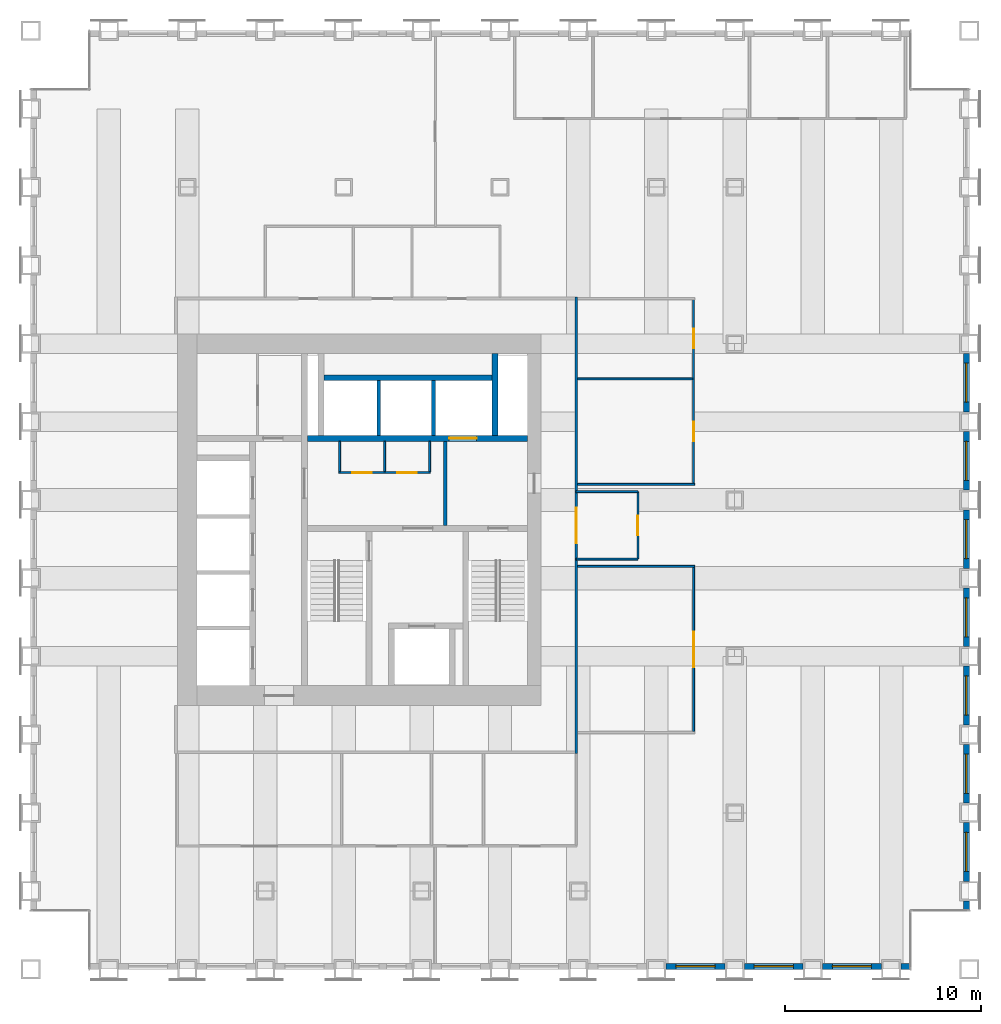
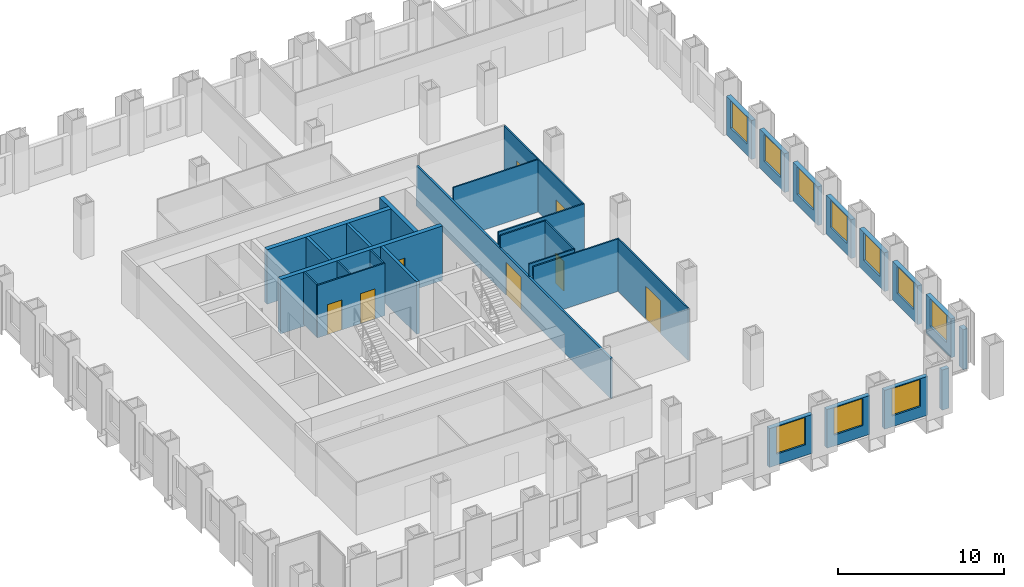
# One storey, part 11 of 14: 31 walls, 10 windows, 8 doors, 18 openings.
"""IFC4 building model written with IfcOpenShell, lengths in metres."""

from ifc_helpers import new_model, si_unit, direction, frame, frame_2d, origin, place, context, subcontext, project, spatial, rectangle, extrude, material, layer, layer_set, type_object, element, fill, save


model = new_model("IFC4")

# Units and contexts
model_context = context("Model", 3, precision=1e-05, world=origin(), true_north=direction((0.0, 1.0)))
body_context = subcontext(model_context, "Body", "Model", "MODEL_VIEW")
ifc_project = project(units=[si_unit("LENGTHUNIT", "METRE"), si_unit("AREAUNIT", "SQUARE_METRE"), si_unit("VOLUMEUNIT", "CUBIC_METRE"), si_unit("PLANEANGLEUNIT", "RADIAN"), si_unit("MASSUNIT", "GRAM", prefix="KILO")], contexts=[model_context])

# Site, building, storey
site_placement = place(None, origin())
site = spatial("IfcSite", under=ifc_project, at=site_placement, CompositionType="ELEMENT")
building_placement = place(site_placement, origin())
building = spatial("IfcBuilding", under=site, at=building_placement, Name="Rimbunsela Tower", CompositionType="ELEMENT")
storey_placement = place(building_placement, frame((0.0, 0.0, 109.39990234375)))
storey = spatial("IfcBuildingStorey", under=building, at=storey_placement, Name="L26", CompositionType="ELEMENT", Elevation=109.39990234375)

# Wall, opening, door
ifc_material_1 = material(Name="Concrete fc' 80 MPa", Category="concrete")
ifc_layer_1 = layer(ifc_material_1, 0.300048828125)
ifc_layer_set_1 = layer_set([ifc_layer_1], Name="Core internal wall 300")
wall_type_1 = type_object("IfcWallType", Name="Core internal wall 300", PredefinedType="SHEAR", material=ifc_layer_set_1)
wall_1_placement = place(storey_placement, frame((24.14990234375, 31.14990234375, -0.14990234375), z_axis=(0.0, 0.0, 1.0), x_axis=(1.0, 0.0, 0.0)))
wall_1 = element("IfcWall", 1, at=wall_1_placement, inside=storey, type_object=wall_type_1, Name="Lift shaft front north", PredefinedType="SHEAR", context=body_context, shape_type="SweptSolid", body=[
    extrude(rectangle(XDim=11.25, YDim=0.300048828125, at=frame_2d((5.625, 0.0))), origin(), (0.0, 0.0, 1.0), 4.0),
])
opening_1_placement = place(wall_1_placement, frame((7.25, 0.0, 0.14990234375)))
opening_1 = element("IfcOpeningElement", 2, at=opening_1_placement, cuts=wall_1, Name="Opening LD3", PredefinedType="OPENING", context=body_context, shape_type="SweptSolid", body=[
    extrude(rectangle(XDim=1.39990234375, YDim=2.39990234375, at=frame_2d((0.699951171875, 1.199951171875))), frame((0.0, 0.159912109375, 0.0), z_axis=(0.0, -1.0, 0.0), x_axis=(1.0, 0.0, 0.0)), (0.0, 0.0, 1.0), 0.320068359375),
])
ifc_material_2 = material(Name="Steel door, fire rated", Category="steel")
door_type_1 = type_object("IfcDoorType", Name="Lift landing door 1400", OperationType="DOUBLE_DOOR_SLIDING", PredefinedType="DOOR", material=ifc_material_2)
door_1_placement = place(opening_1_placement, origin())
door_1 = element("IfcDoor", 3, at=door_1_placement, inside=storey, type_object=door_type_1, Name="Lift landing door FL2", OperationType="DOUBLE_DOOR_SLIDING", OverallHeight=2.39990234375, OverallWidth=1.39990234375, PredefinedType="DOOR", context=body_context, shape_type="SweptSolid", body=[
    extrude(rectangle(XDim=1.39990234375, YDim=2.39990234375, at=frame_2d((0.699951171875, 1.199951171875))), frame((0.0, 0.02490234375, 0.0), z_axis=(0.0, -1.0, 0.0), x_axis=(1.0, 0.0, 0.0)), (0.0, 0.0, 1.0), 0.050048828125),
])
fill(opening_1, door_1)

# Walls
wall_2_placement = place(storey_placement, frame((33.75, 31.300048828125, -0.14990234375), z_axis=(0.0, 0.0, 1.0), x_axis=(0.0, 1.0, 0.0)))
element("IfcWall", 4, at=wall_2_placement, inside=storey, type_object=wall_type_1, Name="Riser wall", PredefinedType="SHEAR", context=body_context, shape_type="SweptSolid", body=[
    extrude(rectangle(XDim=4.199951171875, YDim=0.300048828125, at=frame_2d((2.10009765625, 0.0))), origin(), (0.0, 0.0, 1.0), 4.0),
])
wall_3_placement = place(storey_placement, frame((25.0, 34.25, -0.14990234375), z_axis=(0.0, 0.0, 1.0), x_axis=(1.0, 0.0, 0.0)))
element("IfcWall", 5, at=wall_3_placement, inside=storey, type_object=wall_type_1, Name="Lift shaft rear north", PredefinedType="SHEAR", context=body_context, shape_type="SweptSolid", body=[
    extrude(rectangle(XDim=8.60009765625, YDim=0.300048828125, at=frame_2d((4.300048828125, 0.0))), origin(), (0.0, 0.0, 1.0), 4.0),
])

# Wall, openings, doors
ifc_material_3 = material(Name="Concrete blockwork", Category="masonry")
ifc_layer_2 = layer(ifc_material_3, 0.10009765625)
ifc_layer_set_2 = layer_set([ifc_layer_2], Name="Core room partition 100")
wall_type_2 = type_object("IfcWallType", Name="Core room partition 100", PredefinedType="PARTITIONING", material=ifc_layer_set_2)
wall_4_placement = place(storey_placement, frame((25.75, 29.39990234375, 0.0), z_axis=(0.0, 0.0, 1.0), x_axis=(1.0, 0.0, 0.0)))
wall_4 = element("IfcWall", 6, at=wall_4_placement, inside=storey, type_object=wall_type_2, Name="Lobby room wall", PredefinedType="PARTITIONING", context=body_context, shape_type="SweptSolid", body=[
    extrude(rectangle(XDim=4.699951171875, YDim=0.10009765625, at=frame_2d((2.35009765625, 0.0))), origin(), (0.0, 0.0, 1.0), 3.85009765625),
])
opening_2_placement = place(wall_4_placement, frame((0.699951171875, 0.0, 0.0)))
opening_2 = element("IfcOpeningElement", 7, at=opening_2_placement, cuts=wall_4, Name="Opening D19", PredefinedType="OPENING", context=body_context, shape_type="SweptSolid", body=[
    extrude(rectangle(XDim=1.0, YDim=2.199951171875, at=frame_2d((0.5, 1.10009765625))), frame((0.0, 0.06005859375, 0.0), z_axis=(0.0, -1.0, 0.0), x_axis=(1.0, 0.0, 0.0)), (0.0, 0.0, 1.0), 0.1201171875),
])
opening_3_placement = place(wall_4_placement, frame((3.0, 0.0, 0.0)))
opening_3 = element("IfcOpeningElement", 8, at=opening_3_placement, cuts=wall_4, Name="Opening D19", PredefinedType="OPENING", context=body_context, shape_type="SweptSolid", body=[
    extrude(rectangle(XDim=1.0, YDim=2.199951171875, at=frame_2d((0.5, 1.10009765625))), frame((0.0, 0.06005859375, 0.0), z_axis=(0.0, -1.0, 0.0), x_axis=(1.0, 0.0, 0.0)), (0.0, 0.0, 1.0), 0.1201171875),
])
ifc_material_4 = material(Name="Steel door, fire rated", Category="steel")
door_type_2 = type_object("IfcDoorType", Name="Service door 1000 fire rated", OperationType="SINGLE_SWING_LEFT", PredefinedType="DOOR", material=ifc_material_4)
door_2_placement = place(opening_2_placement, origin())
door_2 = element("IfcDoor", 9, at=door_2_placement, inside=storey, type_object=door_type_2, Name="Facilities store door", OperationType="SINGLE_SWING_LEFT", OverallHeight=2.199951171875, OverallWidth=1.0, PredefinedType="DOOR", context=body_context, shape_type="SweptSolid", body=[
    extrude(rectangle(XDim=1.0, YDim=2.199951171875, at=frame_2d((0.5, 1.10009765625))), frame((0.0, 0.02490234375, 0.0), z_axis=(0.0, -1.0, 0.0), x_axis=(1.0, 0.0, 0.0)), (0.0, 0.0, 1.0), 0.050048828125),
])
fill(opening_2, door_2)
door_3_placement = place(opening_3_placement, origin())
door_3 = element("IfcDoor", 10, at=door_3_placement, inside=storey, type_object=door_type_2, Name="IT room door", OperationType="SINGLE_SWING_LEFT", OverallHeight=2.199951171875, OverallWidth=1.0, PredefinedType="DOOR", context=body_context, shape_type="SweptSolid", body=[
    extrude(rectangle(XDim=1.0, YDim=2.199951171875, at=frame_2d((0.5, 1.10009765625))), frame((0.0, 0.02490234375, 0.0), z_axis=(0.0, -1.0, 0.0), x_axis=(1.0, 0.0, 0.0)), (0.0, 0.0, 1.0), 0.050048828125),
])
fill(opening_3, door_3)

# Walls
for number, where, z_axis, x_axis, name in (
    (11, (25.800048828125, 29.449951171875, 0.0), (0.0, 0.0, 1.0), (0.0, 1.0, 0.0), "Lobby room wall"),
    (12, (30.39990234375, 29.449951171875, 0.0), (0.0, 0.0, 1.0), (0.0, 1.0, 0.0), "Lobby room wall"),
    (13, (28.10009765625, 29.449951171875, 0.0), (0.0, 0.0, 1.0), (0.0, 1.0, 0.0), "Lobby room wall"),
):
    element("IfcWall", number, at=place(storey_placement, frame(where, z_axis=z_axis, x_axis=x_axis)), inside=storey, type_object=wall_type_2, Name=name, PredefinedType="PARTITIONING", context=body_context, shape_type="SweptSolid", body=[
        extrude(rectangle(XDim=1.550048828125, YDim=0.10009765625, at=frame_2d((0.77490234375, 0.0))), origin(), (0.0, 0.0, 1.0), 3.85009765625),
    ])
ifc_material_5 = material(Name="Concrete blockwork", Category="masonry")
ifc_layer_3 = layer(ifc_material_5, 0.199951171875)
ifc_layer_set_3 = layer_set([ifc_layer_3], Name="Lift shaft wall 200")
wall_type_3 = type_object("IfcWallType", Name="Lift shaft wall 200", PredefinedType="SOLIDWALL", material=ifc_layer_set_3)
for number, where, z_axis, x_axis, name in (
    (14, (27.800048828125, 31.300048828125, -0.14990234375), (0.0, 0.0, 1.0), (0.0, 1.0, 0.0), "Lift shaft separation"),
    (15, (30.60009765625, 31.300048828125, -0.14990234375), (0.0, 0.0, 1.0), (0.0, 1.0, 0.0), "Lift shaft separation"),
):
    element("IfcWall", number, at=place(storey_placement, frame(where, z_axis=z_axis, x_axis=x_axis)), inside=storey, type_object=wall_type_3, Name=name, PredefinedType="SOLIDWALL", context=body_context, shape_type="SweptSolid", body=[
        extrude(rectangle(XDim=2.800048828125, YDim=0.199951171875, at=frame_2d((1.39990234375, 0.0))), origin(), (0.0, 0.0, 1.0), 4.0),
    ])
wall_5_placement = place(storey_placement, frame((31.199951171875, 26.699951171875, 0.0), z_axis=(0.0, 0.0, 1.0), x_axis=(0.0, 1.0, 0.0)))
element("IfcWall", 16, at=wall_5_placement, inside=storey, type_object=wall_type_3, Name="Firefighting lobby 2 wall", PredefinedType="SOLIDWALL", context=body_context, shape_type="SweptSolid", body=[
    extrude(rectangle(XDim=4.300048828125, YDim=0.199951171875, at=frame_2d((2.14990234375, 0.0))), origin(), (0.0, 0.0, 1.0), 3.85009765625),
])
ifc_material_6 = material(Name="Gypsum board on steel studs", Category="steel")
ifc_layer_4 = layer(ifc_material_6, 0.10009765625)
ifc_layer_set_4 = layer_set([ifc_layer_4], Name="Office partition 100")
wall_type_4 = type_object("IfcWallType", Name="Office partition 100", PredefinedType="PARTITIONING", material=ifc_layer_set_4)
for number, where, z_axis, x_axis, name in (
    (17, (37.97509765625, 24.60009765625, 0.0), (0.0, 0.0, 1.0), (1.0, 0.0, 0.0), "Office partition"),
    (18, (37.97509765625, 28.800048828125, 0.0), (0.0, 0.0, 1.0), (1.0, 0.0, 0.0), "Office partition"),
):
    element("IfcWall", number, at=place(storey_placement, frame(where, z_axis=z_axis, x_axis=x_axis)), inside=storey, type_object=wall_type_4, Name=name, PredefinedType="PARTITIONING", context=body_context, shape_type="SweptSolid", body=[
        extrude(rectangle(XDim=5.974853515625, YDim=0.10009765625, at=frame_2d((2.9873046875, 0.0))), origin(), (0.0, 0.0, 1.0), 3.85009765625),
    ])
wall_6_placement = place(storey_placement, frame((37.97509765625, 34.199951171875, 0.0), z_axis=(0.0, 0.0, 1.0), x_axis=(1.0, 0.0, 0.0)))
element("IfcWall", 19, at=wall_6_placement, inside=storey, type_object=wall_type_4, Name="Office partition", PredefinedType="PARTITIONING", context=body_context, shape_type="SweptSolid", body=[
    extrude(rectangle(XDim=5.875, YDim=0.10009765625, at=frame_2d((2.9375, 0.0))), origin(), (0.0, 0.0, 1.0), 3.85009765625),
])

# Wall, opening, door
wall_7_placement = place(storey_placement, frame((43.89990234375, 16.14990234375, 0.0), z_axis=(0.0, 0.0, 1.0), x_axis=(0.0, 1.0, 0.0)))
wall_7 = element("IfcWall", 20, at=wall_7_placement, inside=storey, type_object=wall_type_4, Name="Office partition", PredefinedType="PARTITIONING", context=body_context, shape_type="SweptSolid", body=[
    extrude(rectangle(XDim=8.400146484375, YDim=0.10009765625, at=frame_2d((4.2001953125, 0.0))), origin(), (0.0, 0.0, 1.0), 3.85009765625),
])
opening_4_placement = place(wall_7_placement, frame((3.300048828125, 0.0, 0.0)))
opening_4 = element("IfcOpeningElement", 21, at=opening_4_placement, cuts=wall_7, Name="Opening D18", PredefinedType="OPENING", context=body_context, shape_type="SweptSolid", body=[
    extrude(rectangle(XDim=1.800048828125, YDim=2.39990234375, at=frame_2d((0.89990234375, 1.199951171875))), frame((0.0, 0.06005859375, 0.0), z_axis=(0.0, -1.0, 0.0), x_axis=(1.0, 0.0, 0.0)), (0.0, 0.0, 1.0), 0.1201171875),
])
ifc_material_7 = material(Name="Glazed aluminium door", Category="aluminium")
door_type_3 = type_object("IfcDoorType", Name="Boardroom door 1800 glazed", OperationType="DOUBLE_DOOR_DOUBLE_SWING", PredefinedType="DOOR", material=ifc_material_7)
door_4_placement = place(opening_4_placement, origin())
door_4 = element("IfcDoor", 22, at=door_4_placement, inside=storey, type_object=door_type_3, Name="Boardroom door", OperationType="DOUBLE_DOOR_DOUBLE_SWING", OverallHeight=2.39990234375, OverallWidth=1.800048828125, PredefinedType="DOOR", context=body_context, shape_type="SweptSolid", body=[
    extrude(rectangle(XDim=1.800048828125, YDim=2.39990234375, at=frame_2d((0.89990234375, 1.199951171875))), frame((0.0, 0.02490234375, 0.0), z_axis=(0.0, -1.0, 0.0), x_axis=(1.0, 0.0, 0.0)), (0.0, 0.0, 1.0), 0.050048828125),
])
fill(opening_4, door_4)

# Wall, openings, doors
wall_8_placement = place(storey_placement, frame((43.89990234375, 28.85009765625, 0.0), z_axis=(0.0, 0.0, 1.0), x_axis=(0.0, 1.0, 0.0)))
wall_8 = element("IfcWall", 23, at=wall_8_placement, inside=storey, type_object=wall_type_4, Name="Office partition", PredefinedType="PARTITIONING", context=body_context, shape_type="SweptSolid", body=[
    extrude(rectangle(XDim=9.39990234375, YDim=0.10009765625, at=frame_2d((4.699951171875, 0.0))), origin(), (0.0, 0.0, 1.0), 3.85009765625),
])
opening_5_placement = place(wall_8_placement, frame((2.14990234375, 0.0, 0.0)))
opening_5 = element("IfcOpeningElement", 24, at=opening_5_placement, cuts=wall_8, Name="Opening D17", PredefinedType="OPENING", context=body_context, shape_type="SweptSolid", body=[
    extrude(rectangle(XDim=1.0, YDim=2.199951171875, at=frame_2d((0.5, 1.10009765625))), frame((0.0, 0.06005859375, 0.0), z_axis=(0.0, -1.0, 0.0), x_axis=(1.0, 0.0, 0.0)), (0.0, 0.0, 1.0), 0.1201171875),
])
opening_6_placement = place(wall_8_placement, frame((6.89990234375, 0.0, 0.0)))
opening_6 = element("IfcOpeningElement", 25, at=opening_6_placement, cuts=wall_8, Name="Opening D16", PredefinedType="OPENING", context=body_context, shape_type="SweptSolid", body=[
    extrude(rectangle(XDim=1.0, YDim=2.199951171875, at=frame_2d((0.5, 1.10009765625))), frame((0.0, 0.06005859375, 0.0), z_axis=(0.0, -1.0, 0.0), x_axis=(1.0, 0.0, 0.0)), (0.0, 0.0, 1.0), 0.1201171875),
])
ifc_material_8 = material(Name="Glazed aluminium door", Category="aluminium")
door_type_4 = type_object("IfcDoorType", Name="Meeting room door 1000 glazed", OperationType="SINGLE_SWING_RIGHT", PredefinedType="DOOR", material=ifc_material_8)
door_5_placement = place(opening_5_placement, origin())
door_5 = element("IfcDoor", 26, at=door_5_placement, inside=storey, type_object=door_type_4, Name="Meeting room door", OperationType="SINGLE_SWING_RIGHT", OverallHeight=2.199951171875, OverallWidth=1.0, PredefinedType="DOOR", context=body_context, shape_type="SweptSolid", body=[
    extrude(rectangle(XDim=1.0, YDim=2.199951171875, at=frame_2d((0.5, 1.10009765625))), frame((0.0, 0.02490234375, 0.0), z_axis=(0.0, -1.0, 0.0), x_axis=(1.0, 0.0, 0.0)), (0.0, 0.0, 1.0), 0.050048828125),
])
fill(opening_5, door_5)
ifc_material_9 = material(Name="Timber door", Category="wood")
door_type_5 = type_object("IfcDoorType", Name="Office door 1000", OperationType="SINGLE_SWING_LEFT", PredefinedType="DOOR", material=ifc_material_9)
door_6_placement = place(opening_6_placement, origin())
door_6 = element("IfcDoor", 27, at=door_6_placement, inside=storey, type_object=door_type_5, Name="Office door", OperationType="SINGLE_SWING_LEFT", OverallHeight=2.199951171875, OverallWidth=1.0, PredefinedType="DOOR", context=body_context, shape_type="SweptSolid", body=[
    extrude(rectangle(XDim=1.0, YDim=2.199951171875, at=frame_2d((0.5, 1.10009765625))), frame((0.0, 0.02490234375, 0.0), z_axis=(0.0, -1.0, 0.0), x_axis=(1.0, 0.0, 0.0)), (0.0, 0.0, 1.0), 0.050048828125),
])
fill(opening_6, door_6)

# Wall
wall_9_placement = place(storey_placement, frame((37.89990234375, 24.97509765625, 0.0), z_axis=(0.0, 0.0, 1.0), x_axis=(1.0, 0.0, 0.0)))
element("IfcWall", 28, at=wall_9_placement, inside=storey, type_object=wall_type_4, Name="Office partition", PredefinedType="PARTITIONING", context=body_context, shape_type="SweptSolid", body=[
    extrude(rectangle(XDim=3.150146484375, YDim=0.10009765625, at=frame_2d((1.5751953125, 0.0))), origin(), (0.0, 0.0, 1.0), 3.85009765625),
])

# Wall, opening, door
wall_10_placement = place(storey_placement, frame((41.050048828125, 24.97509765625, 0.0), z_axis=(0.0, 0.0, 1.0), x_axis=(0.0, 1.0, 0.0)))
wall_10 = element("IfcWall", 29, at=wall_10_placement, inside=storey, type_object=wall_type_4, Name="Office partition", PredefinedType="PARTITIONING", context=body_context, shape_type="SweptSolid", body=[
    extrude(rectangle(XDim=3.449951171875, YDim=0.10009765625, at=frame_2d((1.72509765625, 0.0))), origin(), (0.0, 0.0, 1.0), 3.85009765625),
])
opening_7_placement = place(wall_10_placement, frame((1.22509765625, 0.0, 0.0)))
opening_7 = element("IfcOpeningElement", 30, at=opening_7_placement, cuts=wall_10, Name="Opening D17", PredefinedType="OPENING", context=body_context, shape_type="SweptSolid", body=[
    extrude(rectangle(XDim=1.0, YDim=2.199951171875, at=frame_2d((0.5, 1.10009765625))), frame((0.0, 0.06005859375, 0.0), z_axis=(0.0, -1.0, 0.0), x_axis=(1.0, 0.0, 0.0)), (0.0, 0.0, 1.0), 0.1201171875),
])
door_7_placement = place(opening_7_placement, origin())
door_7 = element("IfcDoor", 31, at=door_7_placement, inside=storey, type_object=door_type_4, Name="Reception door", OperationType="SINGLE_SWING_RIGHT", OverallHeight=2.199951171875, OverallWidth=1.0, PredefinedType="DOOR", context=body_context, shape_type="SweptSolid", body=[
    extrude(rectangle(XDim=1.0, YDim=2.199951171875, at=frame_2d((0.5, 1.10009765625))), frame((0.0, 0.02490234375, 0.0), z_axis=(0.0, -1.0, 0.0), x_axis=(1.0, 0.0, 0.0)), (0.0, 0.0, 1.0), 0.050048828125),
])
fill(opening_7, door_7)

# Wall
wall_11_placement = place(storey_placement, frame((41.050048828125, 28.425048828125, 0.0), z_axis=(0.0, 0.0, 1.0), x_axis=(-1.0, 0.0, 0.0)))
element("IfcWall", 32, at=wall_11_placement, inside=storey, type_object=wall_type_4, Name="Office partition", PredefinedType="PARTITIONING", context=body_context, shape_type="SweptSolid", body=[
    extrude(rectangle(XDim=3.150146484375, YDim=0.10009765625, at=frame_2d((1.5751953125, 0.0))), origin(), (0.0, 0.0, 1.0), 3.85009765625),
])

# Wall, opening, window
ifc_material_10 = material(Name="Precast concrete fc' 35 MPa", Category="concrete")
ifc_layer_5 = layer(ifc_material_10, 0.300048828125)
ifc_layer_set_5 = layer_set([ifc_layer_5], Name="Precast concrete fc' 35 MPa")
wall_type_5 = type_object("IfcWallType", Name="Precast facade panel 300", PredefinedType="ELEMENTEDWALL", material=ifc_layer_set_5)
wall_12_placement = place(storey_placement, frame((42.5, 4.14990234375, 0.0), z_axis=(0.0, 0.0, 1.0), x_axis=(1.0, 0.0, 0.0)))
wall_12 = element("IfcWall", 33, at=wall_12_placement, inside=storey, type_object=wall_type_5, Name="Facade panel S L26", PredefinedType="ELEMENTEDWALL", context=body_context, shape_type="SweptSolid", body=[
    extrude(rectangle(XDim=3.0, YDim=0.300048828125, at=frame_2d((1.5, 0.0))), origin(), (0.0, 0.0, 1.0), 2.85009765625),
])
opening_8_placement = place(wall_12_placement, frame((0.5, 0.0, 0.800048828125)))
opening_8 = element("IfcOpeningElement", 34, at=opening_8_placement, cuts=wall_12, Name="Opening W1", PredefinedType="OPENING", context=body_context, shape_type="SweptSolid", body=[
    extrude(rectangle(XDim=2.0, YDim=2.0, at=frame_2d((1.0, 1.0))), frame((0.0, 0.159912109375, 0.0), z_axis=(0.0, -1.0, 0.0), x_axis=(1.0, 0.0, 0.0)), (0.0, 0.0, 1.0), 0.320068359375),
])
ifc_material_11 = material(Name="Clear glass in aluminium frame", Category="aluminium")
window_type = type_object("IfcWindowType", Name="Window W1 2000x2000", PartitioningType="DOUBLE_PANEL_VERTICAL", PredefinedType="WINDOW", material=ifc_material_11)
window_1_placement = place(opening_8_placement, origin())
window_1 = element("IfcWindow", 35, at=window_1_placement, inside=storey, type_object=window_type, Name="Window L26", OverallHeight=2.0, OverallWidth=2.0, PartitioningType="SINGLE_PANEL", PredefinedType="WINDOW", context=body_context, shape_type="SweptSolid", body=[
    extrude(rectangle(XDim=2.0, YDim=2.0, at=frame_2d((1.0, 1.0))), frame((0.0, 0.030029296875, 0.0), z_axis=(0.0, -1.0, 0.0), x_axis=(1.0, 0.0, 0.0)), (0.0, 0.0, 1.0), 0.06005859375),
])
fill(opening_8, window_1)

wall_13_placement = place(storey_placement, frame((46.5, 4.14990234375, 0.0), z_axis=(0.0, 0.0, 1.0), x_axis=(1.0, 0.0, 0.0)))
wall_13 = element("IfcWall", 36, at=wall_13_placement, inside=storey, type_object=wall_type_5, Name="Facade panel S L26", PredefinedType="ELEMENTEDWALL", context=body_context, shape_type="SweptSolid", body=[
    extrude(rectangle(XDim=3.0, YDim=0.300048828125, at=frame_2d((1.5, 0.0))), origin(), (0.0, 0.0, 1.0), 2.85009765625),
])
opening_9_placement = place(wall_13_placement, frame((0.5, 0.0, 0.800048828125)))
opening_9 = element("IfcOpeningElement", 37, at=opening_9_placement, cuts=wall_13, Name="Opening W1", PredefinedType="OPENING", context=body_context, shape_type="SweptSolid", body=[
    extrude(rectangle(XDim=2.0, YDim=2.0, at=frame_2d((1.0, 1.0))), frame((0.0, 0.159912109375, 0.0), z_axis=(0.0, -1.0, 0.0), x_axis=(1.0, 0.0, 0.0)), (0.0, 0.0, 1.0), 0.320068359375),
])
window_2_placement = place(opening_9_placement, origin())
window_2 = element("IfcWindow", 38, at=window_2_placement, inside=storey, type_object=window_type, Name="Window L26", OverallHeight=2.0, OverallWidth=2.0, PartitioningType="SINGLE_PANEL", PredefinedType="WINDOW", context=body_context, shape_type="SweptSolid", body=[
    extrude(rectangle(XDim=2.0, YDim=2.0, at=frame_2d((1.0, 1.0))), frame((0.0, 0.030029296875, 0.0), z_axis=(0.0, -1.0, 0.0), x_axis=(1.0, 0.0, 0.0)), (0.0, 0.0, 1.0), 0.06005859375),
])
fill(opening_9, window_2)

wall_14_placement = place(storey_placement, frame((50.5, 4.14990234375, 0.0), z_axis=(0.0, 0.0, 1.0), x_axis=(1.0, 0.0, 0.0)))
wall_14 = element("IfcWall", 39, at=wall_14_placement, inside=storey, type_object=wall_type_5, Name="Facade panel S L26", PredefinedType="ELEMENTEDWALL", context=body_context, shape_type="SweptSolid", body=[
    extrude(rectangle(XDim=3.0, YDim=0.300048828125, at=frame_2d((1.5, 0.0))), origin(), (0.0, 0.0, 1.0), 2.85009765625),
])
opening_10_placement = place(wall_14_placement, frame((0.5, 0.0, 0.800048828125)))
opening_10 = element("IfcOpeningElement", 40, at=opening_10_placement, cuts=wall_14, Name="Opening W1", PredefinedType="OPENING", context=body_context, shape_type="SweptSolid", body=[
    extrude(rectangle(XDim=2.0, YDim=2.0, at=frame_2d((1.0, 1.0))), frame((0.0, 0.159912109375, 0.0), z_axis=(0.0, -1.0, 0.0), x_axis=(1.0, 0.0, 0.0)), (0.0, 0.0, 1.0), 0.320068359375),
])
window_3_placement = place(opening_10_placement, origin())
window_3 = element("IfcWindow", 41, at=window_3_placement, inside=storey, type_object=window_type, Name="Window L26", OverallHeight=2.0, OverallWidth=2.0, PartitioningType="SINGLE_PANEL", PredefinedType="WINDOW", context=body_context, shape_type="SweptSolid", body=[
    extrude(rectangle(XDim=2.0, YDim=2.0, at=frame_2d((1.0, 1.0))), frame((0.0, 0.030029296875, 0.0), z_axis=(0.0, -1.0, 0.0), x_axis=(1.0, 0.0, 0.0)), (0.0, 0.0, 1.0), 0.06005859375),
])
fill(opening_10, window_3)

# Walls
for number, where, z_axis, x_axis, name in (
    (42, (54.5, 4.14990234375, 0.0), (0.0, 0.0, 1.0), (1.0, 0.0, 0.0), "Facade panel S L26"),
    (43, (57.85009765625, 7.030029296875, 0.0), (0.0, 0.0, 1.0), (0.0, 1.0, 0.0), "Facade panel E L26"),
):
    element("IfcWall", number, at=place(storey_placement, frame(where, z_axis=z_axis, x_axis=x_axis)), inside=storey, type_object=wall_type_5, Name=name, PredefinedType="ELEMENTEDWALL", context=body_context, shape_type="SweptSolid", body=[
        extrude(rectangle(XDim=0.469970703125, YDim=0.300048828125, at=frame_2d((0.23486328125, 0.0))), origin(), (0.0, 0.0, 1.0), 2.9501953125),
    ])

# Wall, opening, window
wall_15_placement = place(storey_placement, frame((57.85009765625, 8.5, 0.0), z_axis=(0.0, 0.0, 1.0), x_axis=(0.0, 1.0, 0.0)))
wall_15 = element("IfcWall", 44, at=wall_15_placement, inside=storey, type_object=wall_type_5, Name="Facade panel E L26", PredefinedType="ELEMENTEDWALL", context=body_context, shape_type="SweptSolid", body=[
    extrude(rectangle(XDim=3.0, YDim=0.300048828125, at=frame_2d((1.5, 0.0))), origin(), (0.0, 0.0, 1.0), 2.85009765625),
])
opening_11_placement = place(wall_15_placement, frame((0.5, 0.0, 0.800048828125)))
opening_11 = element("IfcOpeningElement", 45, at=opening_11_placement, cuts=wall_15, Name="Opening W1", PredefinedType="OPENING", context=body_context, shape_type="SweptSolid", body=[
    extrude(rectangle(XDim=2.0, YDim=2.0, at=frame_2d((1.0, 1.0))), frame((0.0, 0.159912109375, 0.0), z_axis=(0.0, -1.0, 0.0), x_axis=(1.0, 0.0, 0.0)), (0.0, 0.0, 1.0), 0.320068359375),
])
window_4_placement = place(opening_11_placement, origin())
window_4 = element("IfcWindow", 46, at=window_4_placement, inside=storey, type_object=window_type, Name="Window L26", OverallHeight=2.0, OverallWidth=2.0, PartitioningType="SINGLE_PANEL", PredefinedType="WINDOW", context=body_context, shape_type="SweptSolid", body=[
    extrude(rectangle(XDim=2.0, YDim=2.0, at=frame_2d((1.0, 1.0))), frame((0.0, 0.030029296875, 0.0), z_axis=(0.0, -1.0, 0.0), x_axis=(1.0, 0.0, 0.0)), (0.0, 0.0, 1.0), 0.06005859375),
])
fill(opening_11, window_4)

wall_16_placement = place(storey_placement, frame((57.85009765625, 12.5, 0.0), z_axis=(0.0, 0.0, 1.0), x_axis=(0.0, 1.0, 0.0)))
wall_16 = element("IfcWall", 47, at=wall_16_placement, inside=storey, type_object=wall_type_5, Name="Facade panel E L26", PredefinedType="ELEMENTEDWALL", context=body_context, shape_type="SweptSolid", body=[
    extrude(rectangle(XDim=3.0, YDim=0.300048828125, at=frame_2d((1.5, 0.0))), origin(), (0.0, 0.0, 1.0), 2.85009765625),
])
opening_12_placement = place(wall_16_placement, frame((0.5, 0.0, 0.800048828125)))
opening_12 = element("IfcOpeningElement", 48, at=opening_12_placement, cuts=wall_16, Name="Opening W1", PredefinedType="OPENING", context=body_context, shape_type="SweptSolid", body=[
    extrude(rectangle(XDim=2.0, YDim=2.0, at=frame_2d((1.0, 1.0))), frame((0.0, 0.159912109375, 0.0), z_axis=(0.0, -1.0, 0.0), x_axis=(1.0, 0.0, 0.0)), (0.0, 0.0, 1.0), 0.320068359375),
])
window_5_placement = place(opening_12_placement, origin())
window_5 = element("IfcWindow", 49, at=window_5_placement, inside=storey, type_object=window_type, Name="Window L26", OverallHeight=2.0, OverallWidth=2.0, PartitioningType="SINGLE_PANEL", PredefinedType="WINDOW", context=body_context, shape_type="SweptSolid", body=[
    extrude(rectangle(XDim=2.0, YDim=2.0, at=frame_2d((1.0, 1.0))), frame((0.0, 0.030029296875, 0.0), z_axis=(0.0, -1.0, 0.0), x_axis=(1.0, 0.0, 0.0)), (0.0, 0.0, 1.0), 0.06005859375),
])
fill(opening_12, window_5)

wall_17_placement = place(storey_placement, frame((57.85009765625, 16.5, 0.0), z_axis=(0.0, 0.0, 1.0), x_axis=(0.0, 1.0, 0.0)))
wall_17 = element("IfcWall", 50, at=wall_17_placement, inside=storey, type_object=wall_type_5, Name="Facade panel E L26", PredefinedType="ELEMENTEDWALL", context=body_context, shape_type="SweptSolid", body=[
    extrude(rectangle(XDim=3.0, YDim=0.300048828125, at=frame_2d((1.5, 0.0))), origin(), (0.0, 0.0, 1.0), 2.85009765625),
])
opening_13_placement = place(wall_17_placement, frame((0.5, 0.0, 0.800048828125)))
opening_13 = element("IfcOpeningElement", 51, at=opening_13_placement, cuts=wall_17, Name="Opening W1", PredefinedType="OPENING", context=body_context, shape_type="SweptSolid", body=[
    extrude(rectangle(XDim=2.0, YDim=2.0, at=frame_2d((1.0, 1.0))), frame((0.0, 0.159912109375, 0.0), z_axis=(0.0, -1.0, 0.0), x_axis=(1.0, 0.0, 0.0)), (0.0, 0.0, 1.0), 0.320068359375),
])
window_6_placement = place(opening_13_placement, origin())
window_6 = element("IfcWindow", 52, at=window_6_placement, inside=storey, type_object=window_type, Name="Window L26", OverallHeight=2.0, OverallWidth=2.0, PartitioningType="SINGLE_PANEL", PredefinedType="WINDOW", context=body_context, shape_type="SweptSolid", body=[
    extrude(rectangle(XDim=2.0, YDim=2.0, at=frame_2d((1.0, 1.0))), frame((0.0, 0.030029296875, 0.0), z_axis=(0.0, -1.0, 0.0), x_axis=(1.0, 0.0, 0.0)), (0.0, 0.0, 1.0), 0.06005859375),
])
fill(opening_13, window_6)

wall_18_placement = place(storey_placement, frame((57.85009765625, 20.5, 0.0), z_axis=(0.0, 0.0, 1.0), x_axis=(0.0, 1.0, 0.0)))
wall_18 = element("IfcWall", 53, at=wall_18_placement, inside=storey, type_object=wall_type_5, Name="Facade panel E L26", PredefinedType="ELEMENTEDWALL", context=body_context, shape_type="SweptSolid", body=[
    extrude(rectangle(XDim=3.0, YDim=0.300048828125, at=frame_2d((1.5, 0.0))), origin(), (0.0, 0.0, 1.0), 2.85009765625),
])
opening_14_placement = place(wall_18_placement, frame((0.5, 0.0, 0.800048828125)))
opening_14 = element("IfcOpeningElement", 54, at=opening_14_placement, cuts=wall_18, Name="Opening W1", PredefinedType="OPENING", context=body_context, shape_type="SweptSolid", body=[
    extrude(rectangle(XDim=2.0, YDim=2.0, at=frame_2d((1.0, 1.0))), frame((0.0, 0.159912109375, 0.0), z_axis=(0.0, -1.0, 0.0), x_axis=(1.0, 0.0, 0.0)), (0.0, 0.0, 1.0), 0.320068359375),
])
window_7_placement = place(opening_14_placement, origin())
window_7 = element("IfcWindow", 55, at=window_7_placement, inside=storey, type_object=window_type, Name="Window L26", OverallHeight=2.0, OverallWidth=2.0, PartitioningType="SINGLE_PANEL", PredefinedType="WINDOW", context=body_context, shape_type="SweptSolid", body=[
    extrude(rectangle(XDim=2.0, YDim=2.0, at=frame_2d((1.0, 1.0))), frame((0.0, 0.030029296875, 0.0), z_axis=(0.0, -1.0, 0.0), x_axis=(1.0, 0.0, 0.0)), (0.0, 0.0, 1.0), 0.06005859375),
])
fill(opening_14, window_7)

wall_19_placement = place(storey_placement, frame((57.85009765625, 24.5, 0.0), z_axis=(0.0, 0.0, 1.0), x_axis=(0.0, 1.0, 0.0)))
wall_19 = element("IfcWall", 56, at=wall_19_placement, inside=storey, type_object=wall_type_5, Name="Facade panel E L26", PredefinedType="ELEMENTEDWALL", context=body_context, shape_type="SweptSolid", body=[
    extrude(rectangle(XDim=3.0, YDim=0.300048828125, at=frame_2d((1.5, 0.0))), origin(), (0.0, 0.0, 1.0), 2.85009765625),
])
opening_15_placement = place(wall_19_placement, frame((0.5, 0.0, 0.800048828125)))
opening_15 = element("IfcOpeningElement", 57, at=opening_15_placement, cuts=wall_19, Name="Opening W1", PredefinedType="OPENING", context=body_context, shape_type="SweptSolid", body=[
    extrude(rectangle(XDim=2.0, YDim=2.0, at=frame_2d((1.0, 1.0))), frame((0.0, 0.159912109375, 0.0), z_axis=(0.0, -1.0, 0.0), x_axis=(1.0, 0.0, 0.0)), (0.0, 0.0, 1.0), 0.320068359375),
])
window_8_placement = place(opening_15_placement, origin())
window_8 = element("IfcWindow", 58, at=window_8_placement, inside=storey, type_object=window_type, Name="Window L26", OverallHeight=2.0, OverallWidth=2.0, PartitioningType="SINGLE_PANEL", PredefinedType="WINDOW", context=body_context, shape_type="SweptSolid", body=[
    extrude(rectangle(XDim=2.0, YDim=2.0, at=frame_2d((1.0, 1.0))), frame((0.0, 0.030029296875, 0.0), z_axis=(0.0, -1.0, 0.0), x_axis=(1.0, 0.0, 0.0)), (0.0, 0.0, 1.0), 0.06005859375),
])
fill(opening_15, window_8)

wall_20_placement = place(storey_placement, frame((57.85009765625, 28.5, 0.0), z_axis=(0.0, 0.0, 1.0), x_axis=(0.0, 1.0, 0.0)))
wall_20 = element("IfcWall", 59, at=wall_20_placement, inside=storey, type_object=wall_type_5, Name="Facade panel E L26", PredefinedType="ELEMENTEDWALL", context=body_context, shape_type="SweptSolid", body=[
    extrude(rectangle(XDim=3.0, YDim=0.300048828125, at=frame_2d((1.5, 0.0))), origin(), (0.0, 0.0, 1.0), 2.85009765625),
])
opening_16_placement = place(wall_20_placement, frame((0.5, 0.0, 0.800048828125)))
opening_16 = element("IfcOpeningElement", 60, at=opening_16_placement, cuts=wall_20, Name="Opening W1", PredefinedType="OPENING", context=body_context, shape_type="SweptSolid", body=[
    extrude(rectangle(XDim=2.0, YDim=2.0, at=frame_2d((1.0, 1.0))), frame((0.0, 0.159912109375, 0.0), z_axis=(0.0, -1.0, 0.0), x_axis=(1.0, 0.0, 0.0)), (0.0, 0.0, 1.0), 0.320068359375),
])
window_9_placement = place(opening_16_placement, origin())
window_9 = element("IfcWindow", 61, at=window_9_placement, inside=storey, type_object=window_type, Name="Window L26", OverallHeight=2.0, OverallWidth=2.0, PartitioningType="SINGLE_PANEL", PredefinedType="WINDOW", context=body_context, shape_type="SweptSolid", body=[
    extrude(rectangle(XDim=2.0, YDim=2.0, at=frame_2d((1.0, 1.0))), frame((0.0, 0.030029296875, 0.0), z_axis=(0.0, -1.0, 0.0), x_axis=(1.0, 0.0, 0.0)), (0.0, 0.0, 1.0), 0.06005859375),
])
fill(opening_16, window_9)

wall_21_placement = place(storey_placement, frame((57.85009765625, 32.5, 0.0), z_axis=(0.0, 0.0, 1.0), x_axis=(0.0, 1.0, 0.0)))
wall_21 = element("IfcWall", 62, at=wall_21_placement, inside=storey, type_object=wall_type_5, Name="Facade panel E L26", PredefinedType="ELEMENTEDWALL", context=body_context, shape_type="SweptSolid", body=[
    extrude(rectangle(XDim=3.0, YDim=0.300048828125, at=frame_2d((1.5, 0.0))), origin(), (0.0, 0.0, 1.0), 2.85009765625),
])
opening_17_placement = place(wall_21_placement, frame((0.5, 0.0, 0.800048828125)))
opening_17 = element("IfcOpeningElement", 63, at=opening_17_placement, cuts=wall_21, Name="Opening W1", PredefinedType="OPENING", context=body_context, shape_type="SweptSolid", body=[
    extrude(rectangle(XDim=2.0, YDim=2.0, at=frame_2d((1.0, 1.0))), frame((0.0, 0.159912109375, 0.0), z_axis=(0.0, -1.0, 0.0), x_axis=(1.0, 0.0, 0.0)), (0.0, 0.0, 1.0), 0.320068359375),
])
window_10_placement = place(opening_17_placement, origin())
window_10 = element("IfcWindow", 64, at=window_10_placement, inside=storey, type_object=window_type, Name="Window L26", OverallHeight=2.0, OverallWidth=2.0, PartitioningType="SINGLE_PANEL", PredefinedType="WINDOW", context=body_context, shape_type="SweptSolid", body=[
    extrude(rectangle(XDim=2.0, YDim=2.0, at=frame_2d((1.0, 1.0))), frame((0.0, 0.030029296875, 0.0), z_axis=(0.0, -1.0, 0.0), x_axis=(1.0, 0.0, 0.0)), (0.0, 0.0, 1.0), 0.06005859375),
])
fill(opening_17, window_10)

# Wall, opening, door
ifc_material_12 = material(Name="Fire-rated gypsum board on steel studs, EI 60", Category="steel")
ifc_layer_6 = layer(ifc_material_12, 0.14990234375)
ifc_layer_set_6 = layer_set([ifc_layer_6], Name="Rated corridor wall 150")
wall_type_6 = type_object("IfcWallType", Name="Rated corridor wall 150", PredefinedType="PARTITIONING", material=ifc_layer_set_6)
wall_22_placement = place(storey_placement, frame((37.89990234375, 15.02490234375, 0.0), z_axis=(0.0, 0.0, 1.0), x_axis=(0.0, 1.0, 0.0)))
wall_22 = element("IfcWall", 65, at=wall_22_placement, inside=storey, type_object=wall_type_6, Name="Corridor wall east", PredefinedType="PARTITIONING", context=body_context, shape_type="SweptSolid", body=[
    extrude(rectangle(XDim=23.35009765625, YDim=0.14990234375, at=frame_2d((11.675048828125, 0.0))), origin(), (0.0, 0.0, 1.0), 2.9501953125),
])
opening_18_placement = place(wall_22_placement, frame((10.77490234375, 0.0, 0.0)))
opening_18 = element("IfcOpeningElement", 66, at=opening_18_placement, cuts=wall_22, Name="Opening D09", PredefinedType="OPENING", context=body_context, shape_type="SweptSolid", body=[
    extrude(rectangle(XDim=1.800048828125, YDim=2.39990234375, at=frame_2d((0.89990234375, 1.199951171875))), frame((0.0, 0.0849609375, 0.0), z_axis=(0.0, -1.0, 0.0), x_axis=(1.0, 0.0, 0.0)), (0.0, 0.0, 1.0), 0.169921875),
])
ifc_material_13 = material(Name="Glazed aluminium door, fire rated", Category="aluminium")
door_type_6 = type_object("IfcDoorType", Name="Tenancy door 1800 glazed", OperationType="DOUBLE_DOOR_DOUBLE_SWING", PredefinedType="DOOR", material=ifc_material_13)
door_8_placement = place(opening_18_placement, origin())
door_8 = element("IfcDoor", 67, at=door_8_placement, inside=storey, type_object=door_type_6, Name="Tenancy door", OperationType="DOUBLE_DOOR_DOUBLE_SWING", OverallHeight=2.39990234375, OverallWidth=1.800048828125, PredefinedType="DOOR", context=body_context, shape_type="SweptSolid", body=[
    extrude(rectangle(XDim=1.800048828125, YDim=2.39990234375, at=frame_2d((0.89990234375, 1.199951171875))), frame((0.0, 0.02490234375, 0.0), z_axis=(0.0, -1.0, 0.0), x_axis=(1.0, 0.0, 0.0)), (0.0, 0.0, 1.0), 0.050048828125),
])
fill(opening_18, door_8)

save(model, "model.ifc")
